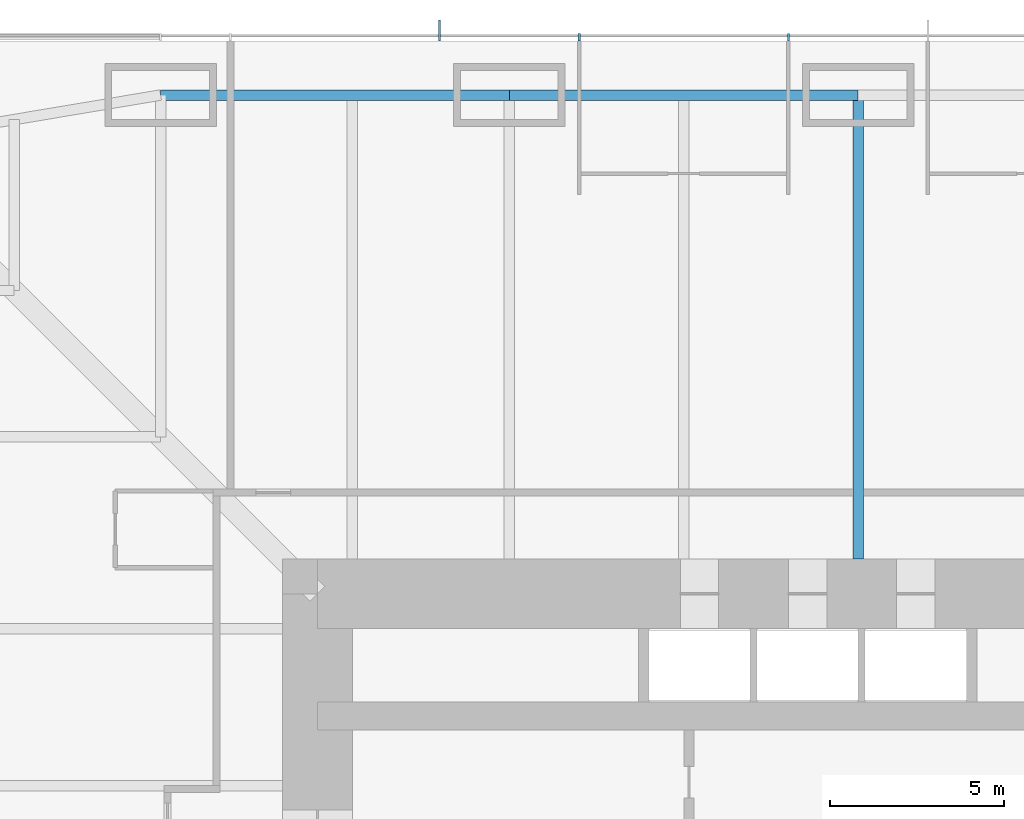
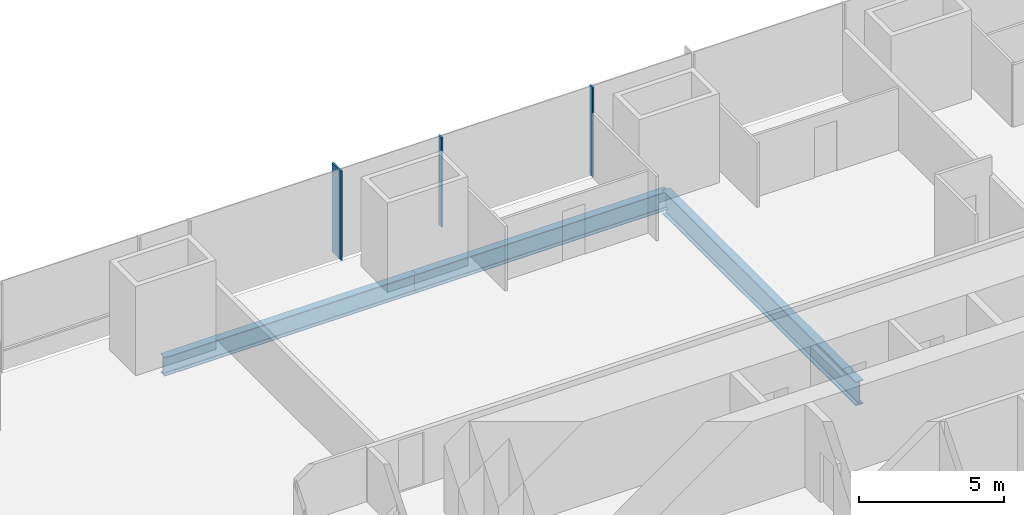
# One storey, part 7 of 17: 3 beams, 3 members, 1 element without a shape of its own.
"""IFC4 building model written with IfcOpenShell, lengths in metres."""

from ifc_helpers import new_model, si_unit, direction, frame, origin, origin_2d, place, context, subcontext, project, spatial, rectangle, i_section, extrude, material, material_profile, profile_set, type_object, element, aggregate, save


model = new_model("IFC4")

# Units and contexts
model_context = context("Model", 3, precision=1e-05, world=origin(), true_north=direction((0.0, 1.0)))
body_context = subcontext(model_context, "Body", "Model", "MODEL_VIEW")
ifc_project = project(units=[si_unit("LENGTHUNIT", "METRE"), si_unit("AREAUNIT", "SQUARE_METRE"), si_unit("VOLUMEUNIT", "CUBIC_METRE"), si_unit("PLANEANGLEUNIT", "RADIAN"), si_unit("MASSUNIT", "GRAM", prefix="KILO")], contexts=[model_context])

# Site, building, storey
site_placement = place(None, origin())
site = spatial("IfcSite", under=ifc_project, at=site_placement, CompositionType="ELEMENT")
building_placement = place(site_placement, origin())
building = spatial("IfcBuilding", under=site, at=building_placement, Name="Khuree Lantern Residences", CompositionType="ELEMENT")
storey_placement = place(building_placement, frame((0.0, 0.0, 58.5)))
storey = spatial("IfcBuildingStorey", under=building, at=storey_placement, Name="L14", CompositionType="ELEMENT", Elevation=58.5)

# Beams
ifc_material_1 = material(Name="Steel S355", Category="steel")
ifc_material_profile_1 = material_profile(ifc_material_1, i_section(OverallWidth=0.300048828125, OverallDepth=0.7900390625, WebThickness=0.014892578125, FlangeThickness=0.028076171875, FilletRadius=0.030029296875, at=origin_2d()), Name="HE 800 A")
ifc_profile_set_1 = profile_set([ifc_material_profile_1], Name="Steel S355")
beam_type_1 = type_object("IfcBeamType", Name="E-13 SPANDREL BEAM HE 800 A", PredefinedType="SPANDREL", material=ifc_profile_set_1)
for number, where, z_axis, x_axis, name in (
    (1, (-20.0, 29.800048828125, -0.64501953125), (1.0, 0.0, 0.0), (0.0, 1.0, 0.0), "Spandrel beam N1"),
    (2, (-10.0, 29.800048828125, -0.64501953125), (1.0, 0.0, 0.0), (0.0, 1.0, 0.0), "Spandrel beam N2"),
):
    element("IfcBeam", number, at=place(storey_placement, frame(where, z_axis=z_axis, x_axis=x_axis)), inside=storey, type_object=beam_type_1, Name=name, PredefinedType="SPANDREL", context=body_context, shape_type="SweptSolid", body=[
        extrude(i_section(OverallWidth=0.300048828125, OverallDepth=0.7900390625, WebThickness=0.014892578125, FlangeThickness=0.028076171875, FilletRadius=0.030029296875, at=origin_2d()), origin(), (0.0, 0.0, 1.0), 10.0),
    ])

# Curtain wall, member
ifc_material_2 = material(Name="Bronze anodised aluminium", Category="aluminium")
curtain_wall_type = type_object("IfcCurtainWallType", Name="CW-T1 TOWER FACE CURTAIN WALL", PredefinedType="USERDEFINED", material=ifc_material_2)
curtain_wall_placement = place(storey_placement, origin())
curtain_wall = element("IfcCurtainWall", 3, at=curtain_wall_placement, inside=storey, type_object=curtain_wall_type, Name="L14 NORTH FACE CURTAIN WALL", ObjectType="Stick-built curtain wall", PredefinedType="USERDEFINED")
ifc_material_profile_2 = material_profile(ifc_material_2, rectangle(XDim=0.06494140625, YDim=0.60009765625, at=origin_2d()), Name="F1 65X600")
ifc_profile_set_2 = profile_set([ifc_material_profile_2], Name="Bronze anodised aluminium")
member_type_1 = type_object("IfcMemberType", Name="F1 BRONZE FIN MULLION TOWER 65X600", PredefinedType="MULLION", material=ifc_profile_set_2)
member_1_placement = place(storey_placement, frame((-12.0, 31.64990234375, 0.0), z_axis=(0.0, 0.0, 1.0), x_axis=(-1.0, 0.0, 0.0)))
member_1 = element("IfcMember", 4, at=member_1_placement, type_object=member_type_1, Name="L14 NORTH FACE FIN MULLION 26", PredefinedType="MULLION", context=body_context, shape_type="SweptSolid", body=[
    extrude(rectangle(XDim=0.06494140625, YDim=0.60009765625, at=origin_2d()), origin(), (0.0, 0.0, 1.0), 3.75),
])

# Beam
ifc_material_profile_3 = material_profile(ifc_material_1, i_section(OverallWidth=0.302001953125, OverallDepth=1.008056640625, WebThickness=0.02099609375, FlangeThickness=0.0400390625, FilletRadius=0.030029296875, at=origin_2d()), Name="HE 1000 M")
ifc_profile_set_3 = profile_set([ifc_material_profile_3], Name="Steel S355")
beam_type_2 = type_object("IfcBeamType", Name="G-13 GIRDER HE 1000 M", PredefinedType="BEAM", material=ifc_profile_set_3)
beam_placement = place(storey_placement, frame((0.0, 29.800048828125, -0.75390625), z_axis=(0.0, -1.0, 0.0), x_axis=(1.0, 0.0, 0.0)))
element("IfcBeam", 5, at=beam_placement, inside=storey, type_object=beam_type_2, Name="Girder N3", PredefinedType="BEAM", context=body_context, shape_type="SweptSolid", body=[
    extrude(i_section(OverallWidth=0.302001953125, OverallDepth=1.008056640625, WebThickness=0.02099609375, FlangeThickness=0.0400390625, FilletRadius=0.030029296875, at=origin_2d()), origin(), (0.0, 0.0, 1.0), 13.300048828125),
])

# Member
ifc_material_profile_4 = material_profile(ifc_material_2, rectangle(XDim=0.06494140625, YDim=0.219970703125, at=origin_2d()), Name="M1 65X220")
ifc_profile_set_4 = profile_set([ifc_material_profile_4], Name="Bronze anodised aluminium")
member_type_2 = type_object("IfcMemberType", Name="M1 BRONZE MULLION TOWER 65X220", PredefinedType="MULLION", material=ifc_profile_set_4)
member_2_placement = place(storey_placement, frame((-2.0, 31.4599609375, 0.0), z_axis=(0.0, 0.0, 1.0), x_axis=(-1.0, 0.0, 0.0)))
member_2 = element("IfcMember", 6, at=member_2_placement, type_object=member_type_2, Name="L14 NORTH FACE MULLION 24", PredefinedType="MULLION", context=body_context, shape_type="SweptSolid", body=[
    extrude(rectangle(XDim=0.06494140625, YDim=0.219970703125, at=origin_2d()), origin(), (0.0, 0.0, 1.0), 3.75),
])

member_3_placement = place(storey_placement, frame((-8.0, 31.4599609375, 0.0), z_axis=(0.0, 0.0, 1.0), x_axis=(-1.0, 0.0, 0.0)))
member_3 = element("IfcMember", 7, at=member_3_placement, type_object=member_type_2, Name="L14 NORTH FACE MULLION 25", PredefinedType="MULLION", context=body_context, shape_type="SweptSolid", body=[
    extrude(rectangle(XDim=0.06494140625, YDim=0.219970703125, at=origin_2d()), origin(), (0.0, 0.0, 1.0), 3.75),
])

aggregate(curtain_wall, [member_2, member_3, member_1])

save(model, "model.ifc")
